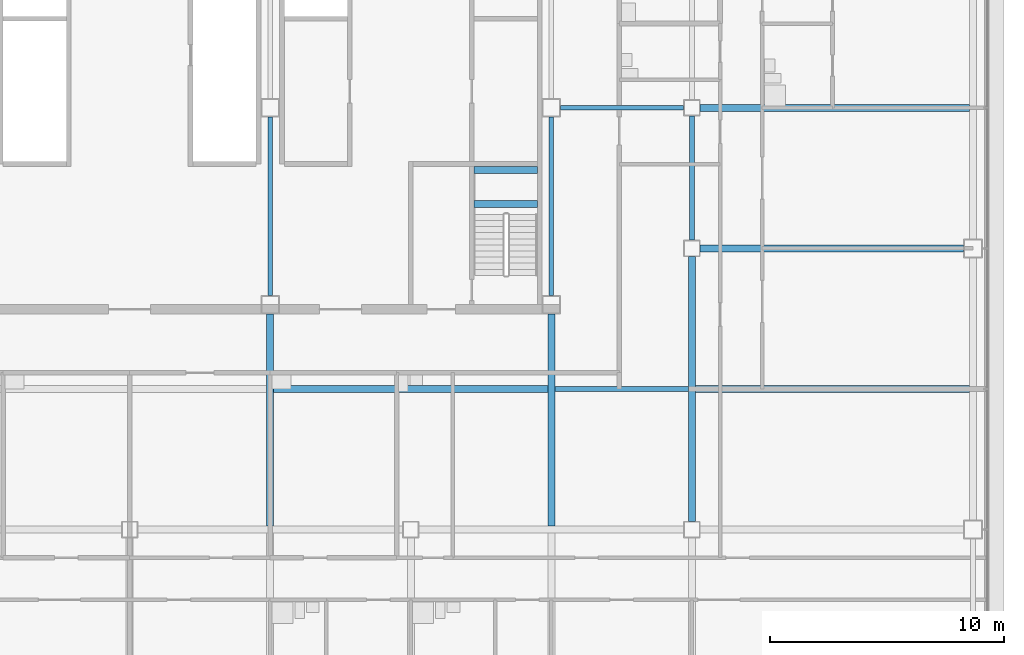
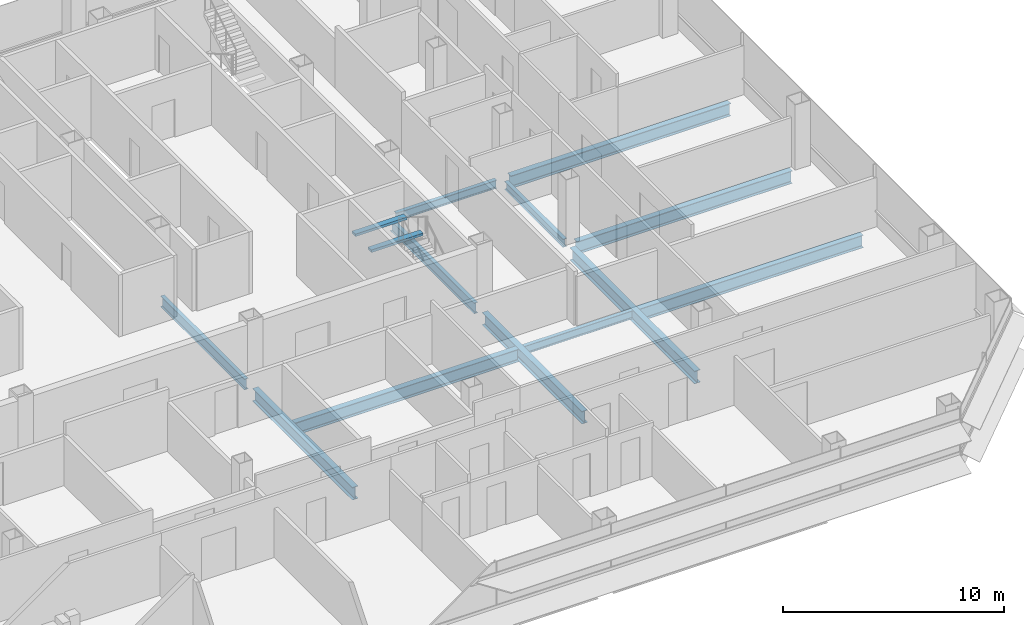
# One storey, part 10 of 25: 14 beams.
"""IFC4 building model written with IfcOpenShell, lengths in metres."""

from ifc_helpers import new_model, si_unit, direction, frame, origin, origin_2d, place, context, subcontext, project, spatial, rectangle, i_section, extrude, material, material_profile, profile_set, type_object, element, save


model = new_model("IFC4")

# Units and contexts
model_context = context("Model", 3, precision=1e-05, world=origin(), true_north=direction((0.0, 1.0)))
body_context = subcontext(model_context, "Body", "Model", "MODEL_VIEW")
ifc_project = project(units=[si_unit("LENGTHUNIT", "METRE"), si_unit("AREAUNIT", "SQUARE_METRE"), si_unit("VOLUMEUNIT", "CUBIC_METRE"), si_unit("PLANEANGLEUNIT", "RADIAN"), si_unit("MASSUNIT", "GRAM", prefix="KILO")], contexts=[model_context])

# Site, building, storey
site_placement = place(None, origin())
site = spatial("IfcSite", under=ifc_project, at=site_placement, CompositionType="ELEMENT")
building_placement = place(site_placement, origin())
building = spatial("IfcBuilding", under=site, at=building_placement, Name="Sorahane Residences", CompositionType="ELEMENT")
storey_placement = place(building_placement, frame((0.0, 0.0, 119.60009765625)))
storey = spatial("IfcBuildingStorey", under=building, at=storey_placement, Name="L26", CompositionType="ELEMENT", Elevation=119.60009765625)

# Beams
ifc_material_1 = material(Name="Concrete C40", Category="concrete")
ifc_material_profile_1 = material_profile(ifc_material_1, rectangle(XDim=0.300048828125, YDim=0.139892578125, at=origin_2d()), Name="300x140")
ifc_profile_set_1 = profile_set([ifc_material_profile_1], Name="Concrete C40")
beam_type_1 = type_object("IfcBeamType", Name="RC landing beam 300 x 140 Concrete C40", PredefinedType="BEAM", material=ifc_profile_set_1)
for number, where, z_axis, x_axis, name in (
    (1, (38.699951171875, 25.89990234375, 1.52978515625), (1.0, 0.0, 0.0), (0.0, 1.0, 0.0), "Landing beam"),
    (2, (38.699951171875, 27.35009765625, 1.52978515625), (1.0, 0.0, 0.0), (0.0, 1.0, 0.0), "Landing beam"),
):
    element("IfcBeam", number, at=place(storey_placement, frame(where, z_axis=z_axis, x_axis=x_axis)), inside=storey, type_object=beam_type_1, Name=name, PredefinedType="BEAM", context=body_context, shape_type="SweptSolid", body=[
        extrude(rectangle(XDim=0.300048828125, YDim=0.139892578125, at=origin_2d()), origin(), (0.0, 0.0, 1.0), 2.699951171875),
    ])
ifc_material_2 = material(Name="Steel Q355B", Category="steel")
ifc_material_profile_2 = material_profile(ifc_material_2, i_section(OverallWidth=0.199951171875, OverallDepth=0.449951171875, WebThickness=0.009033203125, FlangeThickness=0.013916015625, FilletRadius=0.02001953125, at=origin_2d()), Name="HN 450x200x9x14")
ifc_profile_set_2 = profile_set([ifc_material_profile_2], Name="Steel Q355B")
beam_type_2 = type_object("IfcBeamType", Name="Steel floor beam HN 450x200x9x14 Q355B", PredefinedType="BEAM", material=ifc_profile_set_2)
beam_1_placement = place(storey_placement, frame((48.0, 24.35009765625, -0.405029296875), z_axis=(0.0, 1.0, 0.0), x_axis=(-1.0, 0.0, 0.0)))
element("IfcBeam", 3, at=beam_1_placement, inside=storey, type_object=beam_type_2, Name="Beam L26 060", PredefinedType="BEAM", context=body_context, shape_type="SweptSolid", body=[
    extrude(i_section(OverallWidth=0.199951171875, OverallDepth=0.449951171875, WebThickness=0.009033203125, FlangeThickness=0.013916015625, FilletRadius=0.02001953125, at=origin_2d()), origin(), (0.0, 0.0, 1.0), 5.2998046875),
])
beam_2_placement = place(storey_placement, frame((42.14990234375, 18.0, -0.405029296875), z_axis=(1.0, 0.0, 0.0), x_axis=(0.0, 1.0, 0.0)))
element("IfcBeam", 4, at=beam_2_placement, inside=storey, type_object=beam_type_2, Name="Beam L26 083", PredefinedType="BEAM", context=body_context, shape_type="SweptSolid", body=[
    extrude(i_section(OverallWidth=0.199951171875, OverallDepth=0.449951171875, WebThickness=0.009033203125, FlangeThickness=0.013916015625, FilletRadius=0.02001953125, at=origin_2d()), origin(), (0.0, 0.0, 1.0), 5.7001953125),
])
beam_3_placement = place(storey_placement, frame((42.39990234375, 30.0, -0.405029296875), z_axis=(1.0, 0.0, 0.0), x_axis=(0.0, 1.0, 0.0)))
element("IfcBeam", 5, at=beam_3_placement, inside=storey, type_object=beam_type_2, Name="Beam L26 087", PredefinedType="BEAM", context=body_context, shape_type="SweptSolid", body=[
    extrude(i_section(OverallWidth=0.199951171875, OverallDepth=0.449951171875, WebThickness=0.009033203125, FlangeThickness=0.013916015625, FilletRadius=0.02001953125, at=origin_2d()), origin(), (0.0, 0.0, 1.0), 5.25),
])
ifc_material_3 = material(Name="Steel Q355B", Category="steel")
ifc_material_profile_3 = material_profile(ifc_material_3, i_section(OverallWidth=0.199951171875, OverallDepth=0.60009765625, WebThickness=0.010986328125, FlangeThickness=0.01708984375, FilletRadius=0.02392578125, at=origin_2d()), Name="HN 600x200x11x17")
ifc_profile_set_3 = profile_set([ifc_material_profile_3], Name="Steel Q355B")
beam_type_3 = type_object("IfcBeamType", Name="Steel floor beam HN 600x200x11x17 Q355B", PredefinedType="BEAM", material=ifc_profile_set_3)
for number, where, z_axis, x_axis, name in (
    (6, (30.0, 22.0, -0.47998046875), (0.0, 1.0, 0.0), (-1.0, 0.0, 0.0), "Beam L26 046"),
    (7, (42.0, 22.0, -0.47998046875), (0.0, 1.0, 0.0), (-1.0, 0.0, 0.0), "Beam L26 054"),
):
    element("IfcBeam", number, at=place(storey_placement, frame(where, z_axis=z_axis, x_axis=x_axis)), inside=storey, type_object=beam_type_3, Name=name, PredefinedType="BEAM", context=body_context, shape_type="SweptSolid", body=[
        extrude(i_section(OverallWidth=0.199951171875, OverallDepth=0.60009765625, WebThickness=0.010986328125, FlangeThickness=0.01708984375, FilletRadius=0.02392578125, at=origin_2d()), origin(), (0.0, 0.0, 1.0), 7.60009765625),
    ])
ifc_material_4 = material(Name="Steel Q355B", Category="steel")
ifc_material_profile_4 = material_profile(ifc_material_4, i_section(OverallWidth=0.300048828125, OverallDepth=0.699951171875, WebThickness=0.012939453125, FlangeThickness=0.02392578125, FilletRadius=0.028076171875, at=origin_2d()), Name="HN 700x300x13x24")
ifc_profile_set_4 = profile_set([ifc_material_profile_4], Name="Steel Q355B")
beam_type_4 = type_object("IfcBeamType", Name="Steel floor beam HN 700x300x13x24 Q355B", PredefinedType="BEAM", material=ifc_profile_set_4)
beam_4_placement = place(storey_placement, frame((48.35009765625, 24.0, -0.530029296875), z_axis=(1.0, 0.0, 0.0), x_axis=(0.0, 1.0, 0.0)))
element("IfcBeam", 8, at=beam_4_placement, inside=storey, type_object=beam_type_4, Name="Beam L26 012", PredefinedType="BEAM", context=body_context, shape_type="SweptSolid", body=[
    extrude(i_section(OverallWidth=0.300048828125, OverallDepth=0.699951171875, WebThickness=0.012939453125, FlangeThickness=0.02392578125, FilletRadius=0.028076171875, at=origin_2d()), origin(), (0.0, 0.0, 1.0), 11.25),
])
for number, where, z_axis, x_axis, name in (
    (9, (30.0, 12.14990234375, -0.530029296875), (0.0, 1.0, 0.0), (-1.0, 0.0, 0.0), "Beam L26 045"),
    (10, (42.0, 12.14990234375, -0.530029296875), (0.0, 1.0, 0.0), (-1.0, 0.0, 0.0), "Beam L26 053"),
):
    element("IfcBeam", number, at=place(storey_placement, frame(where, z_axis=z_axis, x_axis=x_axis)), inside=storey, type_object=beam_type_4, Name=name, PredefinedType="BEAM", context=body_context, shape_type="SweptSolid", body=[
        extrude(i_section(OverallWidth=0.300048828125, OverallDepth=0.699951171875, WebThickness=0.012939453125, FlangeThickness=0.02392578125, FilletRadius=0.028076171875, at=origin_2d()), origin(), (0.0, 0.0, 1.0), 9.050048828125),
    ])
beam_5_placement = place(storey_placement, frame((48.0, 12.35009765625, -0.530029296875), z_axis=(0.0, 1.0, 0.0), x_axis=(-1.0, 0.0, 0.0)))
element("IfcBeam", 11, at=beam_5_placement, inside=storey, type_object=beam_type_4, Name="Beam L26 059", PredefinedType="BEAM", context=body_context, shape_type="SweptSolid", body=[
    extrude(i_section(OverallWidth=0.300048828125, OverallDepth=0.699951171875, WebThickness=0.012939453125, FlangeThickness=0.02392578125, FilletRadius=0.028076171875, at=origin_2d()), origin(), (0.0, 0.0, 1.0), 11.2998046875),
])
for number, where, z_axis, x_axis, name in (
    (12, (30.14990234375, 18.0, -0.530029296875), (1.0, 0.0, 0.0), (0.0, 1.0, 0.0), "Beam L26 082"),
    (13, (48.14990234375, 18.0, -0.530029296875), (1.0, 0.0, 0.0), (0.0, 1.0, 0.0), "Beam L26 084"),
):
    element("IfcBeam", number, at=place(storey_placement, frame(where, z_axis=z_axis, x_axis=x_axis)), inside=storey, type_object=beam_type_4, Name=name, PredefinedType="BEAM", context=body_context, shape_type="SweptSolid", body=[
        extrude(i_section(OverallWidth=0.300048828125, OverallDepth=0.699951171875, WebThickness=0.012939453125, FlangeThickness=0.02392578125, FilletRadius=0.028076171875, at=origin_2d()), origin(), (0.0, 0.0, 1.0), 11.7001953125),
    ])
beam_6_placement = place(storey_placement, frame((48.35009765625, 30.0, -0.530029296875), z_axis=(1.0, 0.0, 0.0), x_axis=(0.0, 1.0, 0.0)))
element("IfcBeam", 14, at=beam_6_placement, inside=storey, type_object=beam_type_4, Name="Beam L26 088", PredefinedType="BEAM", context=body_context, shape_type="SweptSolid", body=[
    extrude(i_section(OverallWidth=0.300048828125, OverallDepth=0.699951171875, WebThickness=0.012939453125, FlangeThickness=0.02392578125, FilletRadius=0.028076171875, at=origin_2d()), origin(), (0.0, 0.0, 1.0), 11.5),
])

save(model, "model.ifc")
